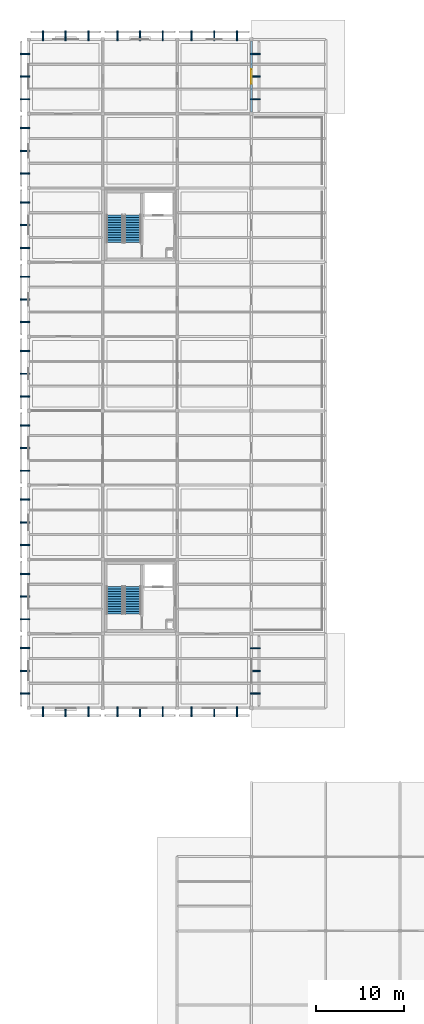
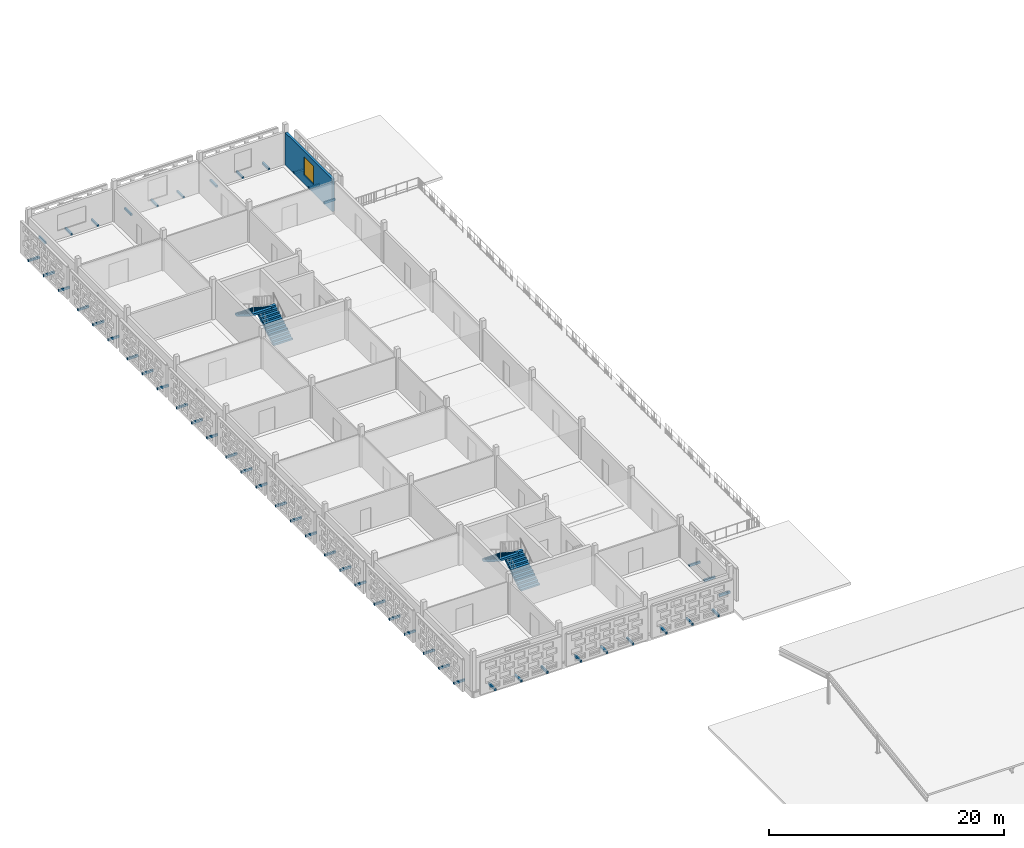
# One storey, part 21 of 31: 51 discrete accessories, 4 stair flights, 1 wall, 1 window, 1 opening, 2 elements without a shape of their own.
"""IFC4 building model written with IfcOpenShell, lengths in metres."""

from ifc_helpers import new_model, si_unit, direction, frame, frame_2d, origin, origin_2d, place, context, subcontext, project, spatial, polyline, rectangle, outline, extrude, material, layer, layer_set, type_object, element, fill, aggregate, save


model = new_model("IFC4")

# Units and contexts
model_context = context("Model", 3, precision=1e-05, world=origin(), true_north=direction((0.0, 1.0)))
body_context = subcontext(model_context, "Body", "Model", "MODEL_VIEW")
ifc_project = project(units=[si_unit("LENGTHUNIT", "METRE"), si_unit("AREAUNIT", "SQUARE_METRE"), si_unit("VOLUMEUNIT", "CUBIC_METRE"), si_unit("PLANEANGLEUNIT", "RADIAN"), si_unit("MASSUNIT", "GRAM", prefix="KILO")], contexts=[model_context])

# Site, building, storey
site_placement = place(None, origin())
site = spatial("IfcSite", under=ifc_project, at=site_placement, CompositionType="ELEMENT")
building_placement = place(site_placement, origin())
building = spatial("IfcBuilding", under=site, at=building_placement, Name="Varnapada Polytechnic", CompositionType="ELEMENT")
storey_placement = place(building_placement, frame((0.0, 0.0, 22.199951171875)))
storey = spatial("IfcBuildingStorey", under=building, at=storey_placement, Name="L05", CompositionType="ELEMENT", Elevation=22.199951171875)

# Wall, opening, window
ifc_material_1 = material(Name="Precast concrete C40/50", Category="concrete")
ifc_layer = layer(ifc_material_1, 0.239990234375)
ifc_layer_set = layer_set([ifc_layer], Name="Precast concrete C40/50")
wall_type = type_object("IfcWallType", Name="Wall EW-06", PredefinedType="SOLIDWALL", material=ifc_layer_set)
wall_placement = place(storey_placement, frame((25.199951171875, 125.800048828125, 0.0), z_axis=(0.0, 0.0, 1.0), x_axis=(0.0, -1.0, 0.0)))
wall = element("IfcWall", 1, at=wall_placement, inside=storey, type_object=wall_type, Name="L05 exterior wall EW-06 (24)", PredefinedType="SOLIDWALL", context=body_context, shape_type="SweptSolid", body=[
    extrude(rectangle(XDim=8.0, YDim=0.239990234375, at=frame_2d((4.0, 0.0))), origin(), (0.0, 0.0, 1.0), 3.360107421875),
])
opening_placement = place(wall_placement, frame((3.175048828125, 0.0, 0.89990234375)))
opening = element("IfcOpeningElement", 2, at=opening_placement, cuts=wall, Name="Opening WN-23", PredefinedType="OPENING", context=body_context, shape_type="SweptSolid", body=[
    extrude(rectangle(XDim=1.64990234375, YDim=1.89990234375, at=frame_2d((0.824951171875, 0.949951171875))), frame((0.0, 0.1298828125, 0.0), z_axis=(0.0, -1.0, 0.0), x_axis=(1.0, 0.0, 0.0)), (0.0, 0.0, 1.0), 0.260009765625),
])
ifc_material_2 = material(Name="Double low-E laminated glass", Category="glass")
window_type = type_object("IfcWindowType", Name="Window WN-23", PartitioningType="SINGLE_PANEL", PredefinedType="WINDOW", material=ifc_material_2)
window_placement = place(opening_placement, origin())
window = element("IfcWindow", 3, at=window_placement, inside=storey, type_object=window_type, Name="L05 window WN-23 (247)", OverallHeight=1.89990234375, OverallWidth=1.64990234375, PartitioningType="SINGLE_PANEL", PredefinedType="WINDOW", context=body_context, shape_type="SweptSolid", body=[
    extrude(rectangle(XDim=1.64990234375, YDim=1.89990234375, at=frame_2d((0.824951171875, 0.949951171875))), frame((0.0, 0.030029296875, 0.0), z_axis=(0.0, -1.0, 0.0), x_axis=(1.0, 0.0, 0.0)), (0.0, 0.0, 1.0), 0.06005859375),
])
fill(opening, window)

# Stair, stair flights
ifc_material_3 = material(Name="Concrete C40/50", Category="concrete")
stair_type = type_object("IfcStairType", Name="Core Exit Stair ST-A", PredefinedType="HALF_TURN_STAIR", material=ifc_material_3)
stair_1_placement = place(storey_placement, origin())
stair_1 = element("IfcStair", 4, at=stair_1_placement, inside=storey, type_object=stair_type, Name="L05 Core C1 Exit Stair", PredefinedType="HALF_TURN_STAIR")
stair_flight_type = type_object("IfcStairFlightType", Name="Stair Flight SFL-01", PredefinedType="STRAIGHT", material=ifc_material_3)
stair_flight_1_placement = place(storey_placement, frame((11.77490234375, 103.050048828125, 0.0), z_axis=(0.0, 0.0, 1.0), x_axis=(0.0, 1.0, 0.0)))
stair_flight_1 = element("IfcStairFlight", 5, at=stair_flight_1_placement, type_object=stair_flight_type, Name="ST-1 flight 1", NumberOfRisers=12, NumberOfTreads=11, PredefinedType="STRAIGHT", RiserHeight=0.175, TreadLength=0.28, context=body_context, shape_type="SweptSolid", body=[
    extrude(outline(polyline([(0.0, 0.0), (0.0, 0.175048828125), (0.280029296875, 0.175048828125), (0.280029296875, 0.35009765625), (0.56005859375, 0.35009765625), (0.56005859375, 0.52490234375), (0.840087890625, 0.52490234375), (0.840087890625, 0.699951171875), (1.1201171875, 0.699951171875), (1.1201171875, 0.875), (1.39990234375, 0.875), (1.39990234375, 1.050048828125), (1.679931640625, 1.050048828125), (1.679931640625, 1.22509765625), (1.9599609375, 1.22509765625), (1.9599609375, 1.39990234375), (2.239990234375, 1.39990234375), (2.239990234375, 1.574951171875), (2.52001953125, 1.574951171875), (2.52001953125, 1.75), (2.800048828125, 1.75), (2.800048828125, 1.925048828125), (3.080078125, 1.925048828125), (3.080078125, 2.10009765625), (3.080078125, 1.712890625), (0.339599609375, 0.0), (0.0, 0.0)])), frame((0.0, 0.925048828125, 0.0), z_axis=(0.0, -1.0, 0.0), x_axis=(1.0, 0.0, 0.0)), (0.0, 0.0, 1.0), 1.85009765625),
])
stair_flight_2_placement = place(storey_placement, frame((9.72509765625, 106.1298828125, 2.10009765625), z_axis=(0.0, 0.0, 1.0), x_axis=(0.0, -1.0, 0.0)))
stair_flight_2 = element("IfcStairFlight", 6, at=stair_flight_2_placement, type_object=stair_flight_type, Name="ST-1 flight 2", NumberOfRisers=12, NumberOfTreads=11, PredefinedType="STRAIGHT", RiserHeight=0.175, TreadLength=0.28, context=body_context, shape_type="SweptSolid", body=[
    extrude(outline(polyline([(0.0, 0.0), (0.0, 0.175048828125), (0.280029296875, 0.175048828125), (0.280029296875, 0.35009765625), (0.56005859375, 0.35009765625), (0.56005859375, 0.52490234375), (0.840087890625, 0.52490234375), (0.840087890625, 0.699951171875), (1.1201171875, 0.699951171875), (1.1201171875, 0.875), (1.39990234375, 0.875), (1.39990234375, 1.050048828125), (1.679931640625, 1.050048828125), (1.679931640625, 1.22509765625), (1.9599609375, 1.22509765625), (1.9599609375, 1.39990234375), (2.239990234375, 1.39990234375), (2.239990234375, 1.574951171875), (2.52001953125, 1.574951171875), (2.52001953125, 1.75), (2.800048828125, 1.75), (2.800048828125, 1.925048828125), (3.080078125, 1.925048828125), (3.080078125, 2.10009765625), (3.080078125, 1.712890625), (0.339599609375, 0.0), (0.0, 0.0)])), frame((0.0, 0.925048828125, 0.0), z_axis=(0.0, -1.0, 0.0), x_axis=(1.0, 0.0, 0.0)), (0.0, 0.0, 1.0), 1.85009765625),
])
aggregate(stair_1, [stair_flight_1, stair_flight_2])

stair_2_placement = place(storey_placement, origin())
stair_2 = element("IfcStair", 7, at=stair_2_placement, inside=storey, type_object=stair_type, Name="L05 Core C2 Exit Stair", PredefinedType="HALF_TURN_STAIR")
stair_flight_3_placement = place(storey_placement, frame((11.77490234375, 61.050048828125, 0.0), z_axis=(0.0, 0.0, 1.0), x_axis=(0.0, 1.0, 0.0)))
stair_flight_3 = element("IfcStairFlight", 8, at=stair_flight_3_placement, type_object=stair_flight_type, Name="ST-2 flight 1", NumberOfRisers=12, NumberOfTreads=11, PredefinedType="STRAIGHT", RiserHeight=0.175, TreadLength=0.28, context=body_context, shape_type="SweptSolid", body=[
    extrude(outline(polyline([(0.0, 0.0), (0.0, 0.175048828125), (0.280029296875, 0.175048828125), (0.280029296875, 0.35009765625), (0.56005859375, 0.35009765625), (0.56005859375, 0.52490234375), (0.840087890625, 0.52490234375), (0.840087890625, 0.699951171875), (1.1201171875, 0.699951171875), (1.1201171875, 0.875), (1.39990234375, 0.875), (1.39990234375, 1.050048828125), (1.679931640625, 1.050048828125), (1.679931640625, 1.22509765625), (1.9599609375, 1.22509765625), (1.9599609375, 1.39990234375), (2.239990234375, 1.39990234375), (2.239990234375, 1.574951171875), (2.52001953125, 1.574951171875), (2.52001953125, 1.75), (2.800048828125, 1.75), (2.800048828125, 1.925048828125), (3.080078125, 1.925048828125), (3.080078125, 2.10009765625), (3.080078125, 1.712890625), (0.339599609375, 0.0), (0.0, 0.0)])), frame((0.0, 0.925048828125, 0.0), z_axis=(0.0, -1.0, 0.0), x_axis=(1.0, 0.0, 0.0)), (0.0, 0.0, 1.0), 1.85009765625),
])
stair_flight_4_placement = place(storey_placement, frame((9.72509765625, 64.1298828125, 2.10009765625), z_axis=(0.0, 0.0, 1.0), x_axis=(0.0, -1.0, 0.0)))
stair_flight_4 = element("IfcStairFlight", 9, at=stair_flight_4_placement, type_object=stair_flight_type, Name="ST-2 flight 2", NumberOfRisers=12, NumberOfTreads=11, PredefinedType="STRAIGHT", RiserHeight=0.175, TreadLength=0.28, context=body_context, shape_type="SweptSolid", body=[
    extrude(outline(polyline([(0.0, 0.0), (0.0, 0.175048828125), (0.280029296875, 0.175048828125), (0.280029296875, 0.35009765625), (0.56005859375, 0.35009765625), (0.56005859375, 0.52490234375), (0.840087890625, 0.52490234375), (0.840087890625, 0.699951171875), (1.1201171875, 0.699951171875), (1.1201171875, 0.875), (1.39990234375, 0.875), (1.39990234375, 1.050048828125), (1.679931640625, 1.050048828125), (1.679931640625, 1.22509765625), (1.9599609375, 1.22509765625), (1.9599609375, 1.39990234375), (2.239990234375, 1.39990234375), (2.239990234375, 1.574951171875), (2.52001953125, 1.574951171875), (2.52001953125, 1.75), (2.800048828125, 1.75), (2.800048828125, 1.925048828125), (3.080078125, 1.925048828125), (3.080078125, 2.10009765625), (3.080078125, 1.712890625), (0.339599609375, 0.0), (0.0, 0.0)])), frame((0.0, 0.925048828125, 0.0), z_axis=(0.0, -1.0, 0.0), x_axis=(1.0, 0.0, 0.0)), (0.0, 0.0, 1.0), 1.85009765625),
])
aggregate(stair_2, [stair_flight_3, stair_flight_4])

# Discrete accessories
ifc_material_4 = material(Name="Steel S355", Category="steel")
discrete_accessory_type = type_object("IfcDiscreteAccessoryType", Name="Screen Outrigger Bracket BRK-01", PredefinedType="BRACKET", material=ifc_material_4)
for number, where, z_axis, x_axis, name in (
    (10, (6.75830078125, 49.97509765625, -0.0498046875), (0.0, 0.0, 1.0), (-1.0, 0.0, 0.0), "L05 terracotta screen outrigger bracket 1.1"),
    (11, (4.195068359375, 49.97509765625, -0.0498046875), (0.0, 0.0, 1.0), (-1.0, 0.0, 0.0), "L05 terracotta screen outrigger bracket 1.2"),
    (12, (1.6318359375, 49.97509765625, -0.0498046875), (0.0, 0.0, 1.0), (-1.0, 0.0, 0.0), "L05 terracotta screen outrigger bracket 1.3"),
    (13, (-0.425048828125, 52.03369140625, -0.0498046875), (0.0, 0.0, 1.0), (0.0, 1.0, 0.0), "L05 terracotta screen outrigger bracket 2.1"),
    (14, (-0.425048828125, 54.60009765625, -0.0498046875), (0.0, 0.0, 1.0), (0.0, 1.0, 0.0), "L05 terracotta screen outrigger bracket 2.2"),
    (15, (-0.425048828125, 57.16650390625, -0.0498046875), (0.0, 0.0, 1.0), (0.0, 1.0, 0.0), "L05 terracotta screen outrigger bracket 2.3"),
    (16, (-0.425048828125, 60.43359375, -0.0498046875), (0.0, 0.0, 1.0), (0.0, 1.0, 0.0), "L05 terracotta screen outrigger bracket 3.1"),
    (17, (-0.425048828125, 63.0, -0.0498046875), (0.0, 0.0, 1.0), (0.0, 1.0, 0.0), "L05 terracotta screen outrigger bracket 3.2"),
    (18, (-0.425048828125, 65.56640625, -0.0498046875), (0.0, 0.0, 1.0), (0.0, 1.0, 0.0), "L05 terracotta screen outrigger bracket 3.3"),
    (19, (-0.425048828125, 68.83349609375, -0.0498046875), (0.0, 0.0, 1.0), (0.0, 1.0, 0.0), "L05 terracotta screen outrigger bracket 4.1"),
    (20, (-0.425048828125, 71.39990234375, -0.0498046875), (0.0, 0.0, 1.0), (0.0, 1.0, 0.0), "L05 terracotta screen outrigger bracket 4.2"),
    (21, (-0.425048828125, 73.96630859375, -0.0498046875), (0.0, 0.0, 1.0), (0.0, 1.0, 0.0), "L05 terracotta screen outrigger bracket 4.3"),
    (22, (-0.425048828125, 77.233642578125, -0.0498046875), (0.0, 0.0, 1.0), (0.0, 1.0, 0.0), "L05 terracotta screen outrigger bracket 5.1"),
    (23, (-0.425048828125, 79.800048828125, -0.0498046875), (0.0, 0.0, 1.0), (0.0, 1.0, 0.0), "L05 terracotta screen outrigger bracket 5.2"),
    (24, (-0.425048828125, 82.366455078125, -0.0498046875), (0.0, 0.0, 1.0), (0.0, 1.0, 0.0), "L05 terracotta screen outrigger bracket 5.3"),
    (25, (-0.425048828125, 85.633544921875, -0.0498046875), (0.0, 0.0, 1.0), (0.0, 1.0, 0.0), "L05 terracotta screen outrigger bracket 6.1"),
    (26, (-0.425048828125, 88.199951171875, -0.0498046875), (0.0, 0.0, 1.0), (0.0, 1.0, 0.0), "L05 terracotta screen outrigger bracket 6.2"),
    (27, (-0.425048828125, 90.766357421875, -0.0498046875), (0.0, 0.0, 1.0), (0.0, 1.0, 0.0), "L05 terracotta screen outrigger bracket 6.3"),
    (28, (-0.425048828125, 94.03369140625, -0.0498046875), (0.0, 0.0, 1.0), (0.0, 1.0, 0.0), "L05 terracotta screen outrigger bracket 7.1"),
    (29, (-0.425048828125, 96.60009765625, -0.0498046875), (0.0, 0.0, 1.0), (0.0, 1.0, 0.0), "L05 terracotta screen outrigger bracket 7.2"),
    (30, (-0.425048828125, 99.16650390625, -0.0498046875), (0.0, 0.0, 1.0), (0.0, 1.0, 0.0), "L05 terracotta screen outrigger bracket 7.3"),
    (31, (-0.425048828125, 102.43359375, -0.0498046875), (0.0, 0.0, 1.0), (0.0, 1.0, 0.0), "L05 terracotta screen outrigger bracket 8.1"),
    (32, (-0.425048828125, 105.0, -0.0498046875), (0.0, 0.0, 1.0), (0.0, 1.0, 0.0), "L05 terracotta screen outrigger bracket 8.2"),
    (33, (-0.425048828125, 107.56640625, -0.0498046875), (0.0, 0.0, 1.0), (0.0, 1.0, 0.0), "L05 terracotta screen outrigger bracket 8.3"),
    (34, (-0.425048828125, 110.83349609375, -0.0498046875), (0.0, 0.0, 1.0), (0.0, 1.0, 0.0), "L05 terracotta screen outrigger bracket 9.1"),
    (35, (-0.425048828125, 113.39990234375, -0.0498046875), (0.0, 0.0, 1.0), (0.0, 1.0, 0.0), "L05 terracotta screen outrigger bracket 9.2"),
    (36, (-0.425048828125, 115.96630859375, -0.0498046875), (0.0, 0.0, 1.0), (0.0, 1.0, 0.0), "L05 terracotta screen outrigger bracket 9.3"),
    (37, (1.6318359375, 126.425048828125, -0.0498046875), (0.0, 0.0, 1.0), (1.0, 0.0, 0.0), "L05 terracotta screen outrigger bracket 10.1"),
    (38, (4.195068359375, 126.425048828125, -0.0498046875), (0.0, 0.0, 1.0), (1.0, 0.0, 0.0), "L05 terracotta screen outrigger bracket 10.2"),
    (39, (6.75830078125, 126.425048828125, -0.0498046875), (0.0, 0.0, 1.0), (1.0, 0.0, 0.0), "L05 terracotta screen outrigger bracket 10.3"),
    (40, (-0.425048828125, 119.233642578125, -0.0498046875), (0.0, 0.0, 1.0), (0.0, 1.0, 0.0), "L05 terracotta screen outrigger bracket 11.1"),
    (41, (-0.425048828125, 121.800048828125, -0.0498046875), (0.0, 0.0, 1.0), (0.0, 1.0, 0.0), "L05 terracotta screen outrigger bracket 11.2"),
    (42, (-0.425048828125, 124.366455078125, -0.0498046875), (0.0, 0.0, 1.0), (0.0, 1.0, 0.0), "L05 terracotta screen outrigger bracket 11.3"),
    (43, (15.168212890625, 49.97509765625, -0.0498046875), (0.0, 0.0, 1.0), (-1.0, 0.0, 0.0), "L05 terracotta screen outrigger bracket 12.1"),
    (44, (12.60498046875, 49.97509765625, -0.0498046875), (0.0, 0.0, 1.0), (-1.0, 0.0, 0.0), "L05 terracotta screen outrigger bracket 12.2"),
    (45, (10.041748046875, 49.97509765625, -0.0498046875), (0.0, 0.0, 1.0), (-1.0, 0.0, 0.0), "L05 terracotta screen outrigger bracket 12.3"),
    (46, (10.041748046875, 126.425048828125, -0.0498046875), (0.0, 0.0, 1.0), (1.0, 0.0, 0.0), "L05 terracotta screen outrigger bracket 13.1"),
    (47, (12.60498046875, 126.425048828125, -0.0498046875), (0.0, 0.0, 1.0), (1.0, 0.0, 0.0), "L05 terracotta screen outrigger bracket 13.2"),
    (48, (15.168212890625, 126.425048828125, -0.0498046875), (0.0, 0.0, 1.0), (1.0, 0.0, 0.0), "L05 terracotta screen outrigger bracket 13.3"),
    (49, (23.55810546875, 49.97509765625, -0.0498046875), (0.0, 0.0, 1.0), (-1.0, 0.0, 0.0), "L05 terracotta screen outrigger bracket 14.1"),
    (50, (20.9951171875, 49.97509765625, -0.0498046875), (0.0, 0.0, 1.0), (-1.0, 0.0, 0.0), "L05 terracotta screen outrigger bracket 14.2"),
    (51, (18.431884765625, 49.97509765625, -0.0498046875), (0.0, 0.0, 1.0), (-1.0, 0.0, 0.0), "L05 terracotta screen outrigger bracket 14.3"),
    (52, (25.625, 57.159912109375, -0.0498046875), (0.0, 0.0, 1.0), (0.0, -1.0, 0.0), "L05 terracotta screen outrigger bracket 15.1"),
    (53, (25.625, 54.60009765625, -0.0498046875), (0.0, 0.0, 1.0), (0.0, -1.0, 0.0), "L05 terracotta screen outrigger bracket 15.2"),
    (54, (25.625, 52.0400390625, -0.0498046875), (0.0, 0.0, 1.0), (0.0, -1.0, 0.0), "L05 terracotta screen outrigger bracket 15.3"),
    (55, (18.431884765625, 126.425048828125, -0.0498046875), (0.0, 0.0, 1.0), (1.0, 0.0, 0.0), "L05 terracotta screen outrigger bracket 23.1"),
    (56, (20.9951171875, 126.425048828125, -0.0498046875), (0.0, 0.0, 1.0), (1.0, 0.0, 0.0), "L05 terracotta screen outrigger bracket 23.2"),
    (57, (23.55810546875, 126.425048828125, -0.0498046875), (0.0, 0.0, 1.0), (1.0, 0.0, 0.0), "L05 terracotta screen outrigger bracket 23.3"),
    (58, (25.625, 124.360107421875, -0.0498046875), (0.0, 0.0, 1.0), (0.0, -1.0, 0.0), "L05 terracotta screen outrigger bracket 24.1"),
    (59, (25.625, 121.800048828125, -0.0498046875), (0.0, 0.0, 1.0), (0.0, -1.0, 0.0), "L05 terracotta screen outrigger bracket 24.2"),
    (60, (25.625, 119.239990234375, -0.0498046875), (0.0, 0.0, 1.0), (0.0, -1.0, 0.0), "L05 terracotta screen outrigger bracket 24.3"),
):
    element("IfcDiscreteAccessory", number, at=place(storey_placement, frame(where, z_axis=z_axis, x_axis=x_axis)), inside=storey, type_object=discrete_accessory_type, Name=name, PredefinedType="BRACKET", context=body_context, shape_type="SweptSolid", body=[
        extrude(rectangle(XDim=0.159912109375, YDim=1.090087890625, at=origin_2d()), origin(), (0.0, 0.0, 1.0), 0.219970703125),
    ])

save(model, "model.ifc")
